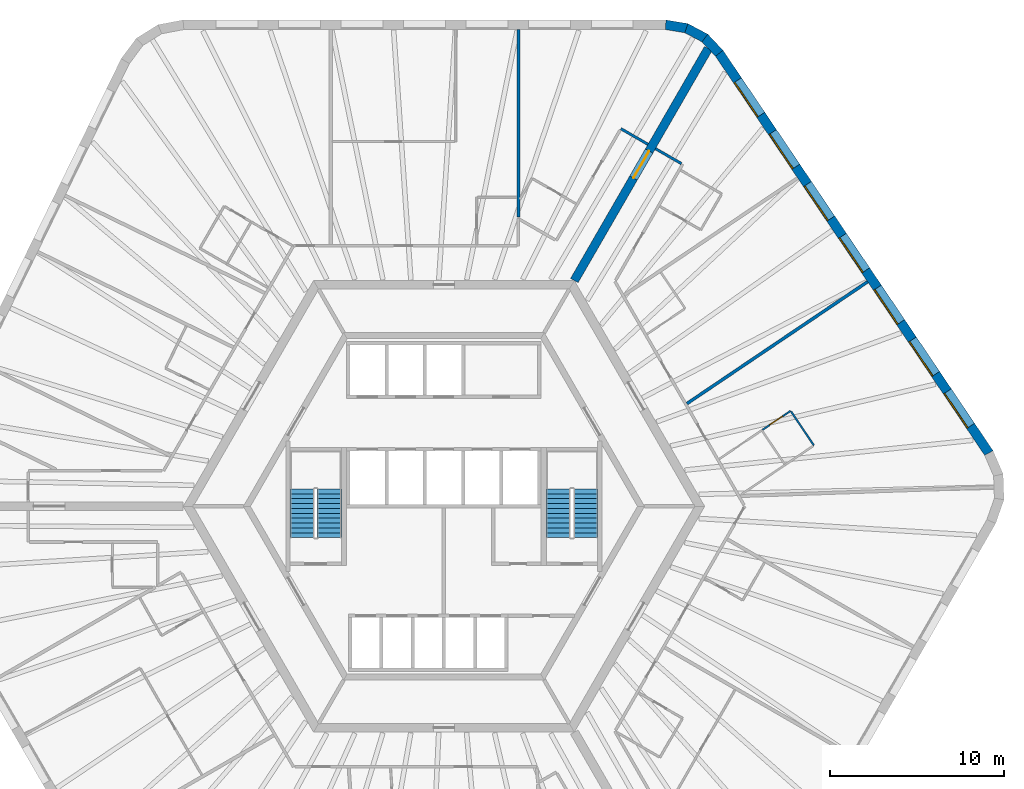
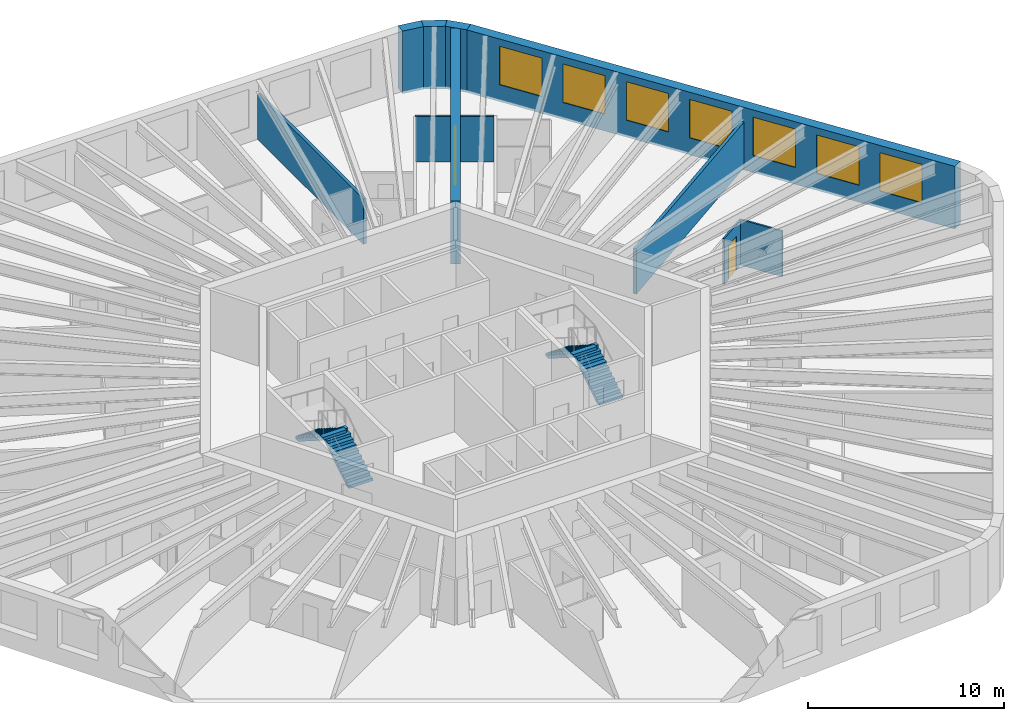
# One storey, part 9 of 10: 11 walls, 7 windows, 4 stair flights, 2 doors, 9 openings, 2 elements without a shape of their own.
"""IFC4 building model written with IfcOpenShell, lengths in metres."""

from ifc_helpers import new_model, si_unit, direction, frame, frame_2d, origin, place, context, subcontext, project, spatial, polyline, rectangle, outline, extrude, material, layer, layer_set, type_object, element, fill, aggregate, save


model = new_model("IFC4")

# Units and contexts
model_context = context("Model", 3, precision=1e-05, world=origin(), true_north=direction((0.0, 1.0)))
body_context = subcontext(model_context, "Body", "Model", "MODEL_VIEW")
ifc_project = project(units=[si_unit("LENGTHUNIT", "METRE"), si_unit("AREAUNIT", "SQUARE_METRE"), si_unit("VOLUMEUNIT", "CUBIC_METRE"), si_unit("PLANEANGLEUNIT", "RADIAN"), si_unit("MASSUNIT", "GRAM", prefix="KILO")], contexts=[model_context])

# Site, building, storey
site_placement = place(None, origin())
site = spatial("IfcSite", under=ifc_project, at=site_placement, CompositionType="ELEMENT")
building_placement = place(site_placement, origin())
building = spatial("IfcBuilding", under=site, at=building_placement, Name="Tarnside Tower", CompositionType="ELEMENT")
storey_placement = place(building_placement, frame((0.0, 0.0, 242.39990234375)))
storey = spatial("IfcBuildingStorey", under=building, at=storey_placement, Name="L58", CompositionType="ELEMENT", Elevation=242.39990234375)

# Wall, opening, door
ifc_material_1 = material(Name="Concrete C70/85", Category="concrete")
ifc_layer_1 = layer(ifc_material_1, 0.5)
ifc_layer_set_1 = layer_set([ifc_layer_1], Name="Core wall Z2 500 C70/85")
wall_type_1 = type_object("IfcWallType", Name="Core wall Z2 500 C70/85", PredefinedType="SHEAR", material=ifc_layer_set_1)
wall_1_placement = place(storey_placement, frame((7.505615234375, 13.0, -0.14990234375), z_axis=(0.0, 0.0, 1.0), x_axis=(0.499988271576, 0.866032175087, 0.0)))
wall_1 = element("IfcWall", 1, at=wall_1_placement, inside=storey, type_object=wall_type_1, Name="L58 spine wall 1", PredefinedType="SHEAR", context=body_context, shape_type="SweptSolid", body=[
    extrude(rectangle(XDim=15.423583984375, YDim=0.5, at=frame_2d((7.7119140625, 0.0))), origin(), (0.0, 0.0, 1.0), 3.89990234375),
])
opening_1_placement = place(wall_1_placement, frame((6.811767578125, 0.0, 0.14990234375)))
opening_1 = element("IfcOpeningElement", 2, at=opening_1_placement, cuts=wall_1, Name="Opening CD-SPN", PredefinedType="OPENING", context=body_context, shape_type="SweptSolid", body=[
    extrude(rectangle(XDim=1.800048828125, YDim=2.39990234375, at=frame_2d((0.89990234375, 1.199951171875))), frame((0.0, 0.260009765625, 0.0), z_axis=(0.0, -1.0, 0.0), x_axis=(1.0, 0.0, 0.0)), (0.0, 0.0, 1.0), 0.52001953125),
])
ifc_material_2 = material(Name="Steel fire door", Category="steel")
door_type_1 = type_object("IfcDoorType", Name="Spine passage double door FD60 1800x2400", OperationType="NOTDEFINED", PredefinedType="DOOR", material=ifc_material_2)
door_1_placement = place(opening_1_placement, origin())
door_1 = element("IfcDoor", 3, at=door_1_placement, inside=storey, type_object=door_type_1, Name="L58 spine passage door 1", OperationType="DOUBLE_DOOR_SINGLE_SWING", OverallHeight=2.39990234375, OverallWidth=1.800048828125, PredefinedType="DOOR", context=body_context, shape_type="SweptSolid", body=[
    extrude(rectangle(XDim=1.800048828125, YDim=2.39990234375, at=frame_2d((0.89990234375, 1.199951171875))), frame((0.0, 0.02490234375, 0.0), z_axis=(0.0, -1.0, 0.0), x_axis=(1.0, 0.0, 0.0)), (0.0, 0.0, 1.0), 0.050048828125),
])
fill(opening_1, door_1)

# Walls
ifc_material_3 = material(Name="Gypsum board partition on steel studs", Category="steel")
ifc_layer_2 = layer(ifc_material_3, 0.14990234375)
ifc_layer_set_2 = layer_set([ifc_layer_2], Name="Corridor wall 150 EI 60")
wall_type_2 = type_object("IfcWallType", Name="Corridor wall 150 EI 60", PredefinedType="PARTITIONING", material=ifc_layer_set_2)
wall_2_placement = place(storey_placement, frame((11.744873046875, 20.8427734375, 0.0), z_axis=(0.0, 0.0, 1.0), x_axis=(-0.865989075817, 0.500062916607, 0.0)))
element("IfcWall", 4, at=wall_2_placement, inside=storey, type_object=wall_type_2, Name="Corridor wall 19001", PredefinedType="PARTITIONING", context=body_context, shape_type="SweptSolid", body=[
    extrude(rectangle(XDim=1.800048828125, YDim=0.14990234375, at=frame_2d((0.89990234375, 0.0))), origin(), (0.0, 0.0, 1.0), 2.837890625),
])
wall_3_placement = place(storey_placement, frame((13.671875, 19.73046875, 0.0), z_axis=(0.0, 0.0, 1.0), x_axis=(-0.866074815912, 0.499914405916, 0.0)))
element("IfcWall", 5, at=wall_3_placement, inside=storey, type_object=wall_type_2, Name="Corridor wall 19049", PredefinedType="PARTITIONING", context=body_context, shape_type="SweptSolid", body=[
    extrude(rectangle(XDim=1.724853515625, YDim=0.14990234375, at=frame_2d((0.8623046875, 0.0))), origin(), (0.0, 0.0, 1.0), 2.837890625),
])
ifc_layer_3 = layer(ifc_material_3, 0.179931640625)
ifc_layer_set_3 = layer_set([ifc_layer_3], Name="Demising wall 180 EI 60")
wall_type_3 = type_object("IfcWallType", Name="Demising wall 180 EI 60", PredefinedType="PARTITIONING", material=ifc_layer_set_3)
wall_4_placement = place(storey_placement, frame((4.2822265625, 27.449951171875, 0.0), z_axis=(0.0, 0.0, 1.0), x_axis=(0.0, -1.0, 0.0)))
element("IfcWall", 6, at=wall_4_placement, inside=storey, type_object=wall_type_3, Name="Demising wall 19053", PredefinedType="PARTITIONING", context=body_context, shape_type="SweptSolid", body=[
    extrude(rectangle(XDim=10.800537109375, YDim=0.179931640625, at=frame_2d((5.400390625, 0.0))), origin(), (0.0, 0.0, 1.0), 2.837890625),
])
wall_5_placement = place(storey_placement, frame((24.388671875, 12.9306640625, 0.0), z_axis=(0.0, 0.0, 1.0), x_axis=(-0.829040439793, -0.559188652593, 0.0)))
element("IfcWall", 7, at=wall_5_placement, inside=storey, type_object=wall_type_3, Name="Demising wall 19115", PredefinedType="PARTITIONING", context=body_context, shape_type="SweptSolid", body=[
    extrude(rectangle(XDim=12.542236328125, YDim=0.179931640625, at=frame_2d((6.27099609375, 0.0))), origin(), (0.0, 0.0, 1.0), 2.837890625),
])

# Wall, opening, door
ifc_layer_4 = layer(ifc_material_3, 0.10009765625)
ifc_layer_set_4 = layer_set([ifc_layer_4], Name="Partition 100")
wall_type_4 = type_object("IfcWallType", Name="Partition 100", PredefinedType="PARTITIONING", material=ifc_layer_set_4)
wall_6_placement = place(storey_placement, frame((18.341064453125, 4.406982421875, 0.0), z_axis=(0.0, 0.0, 1.0), x_axis=(0.829014089772, 0.559227716552, 0.0)))
wall_6 = element("IfcWall", 8, at=wall_6_placement, inside=storey, type_object=wall_type_4, Name="Partition wall 19112", PredefinedType="PARTITIONING", context=body_context, shape_type="SweptSolid", body=[
    extrude(rectangle(XDim=1.9501953125, YDim=0.10009765625, at=frame_2d((0.97509765625, 0.0))), origin(), (0.0, 0.0, 1.0), 2.837890625),
])
opening_2_placement = place(wall_6_placement, frame((0.5, 0.0, 0.0)))
opening_2 = element("IfcOpeningElement", 9, at=opening_2_placement, cuts=wall_6, Name="Opening D-I1", PredefinedType="OPENING", context=body_context, shape_type="SweptSolid", body=[
    extrude(rectangle(XDim=0.89990234375, YDim=2.10009765625, at=frame_2d((0.449951171875, 1.050048828125))), frame((0.0, 0.06005859375, 0.0), z_axis=(0.0, -1.0, 0.0), x_axis=(1.0, 0.0, 0.0)), (0.0, 0.0, 1.0), 0.1201171875),
])
ifc_material_4 = material(Name="Timber door leaf", Category="wood")
door_type_2 = type_object("IfcDoorType", Name="Internal door 900", OperationType="NOTDEFINED", PredefinedType="DOOR", material=ifc_material_4)
door_2_placement = place(opening_2_placement, origin())
door_2 = element("IfcDoor", 10, at=door_2_placement, inside=storey, type_object=door_type_2, Name="Internal door 19034", OperationType="SINGLE_SWING_RIGHT", OverallHeight=2.10009765625, OverallWidth=0.89990234375, PredefinedType="DOOR", context=body_context, shape_type="SweptSolid", body=[
    extrude(rectangle(XDim=0.89990234375, YDim=2.10009765625, at=frame_2d((0.449951171875, 1.050048828125))), frame((0.0, 0.02490234375, 0.0), z_axis=(0.0, -1.0, 0.0), x_axis=(1.0, 0.0, 0.0)), (0.0, 0.0, 1.0), 0.050048828125),
])
fill(opening_2, door_2)

# Wall
wall_7_placement = place(storey_placement, frame((19.985595703125, 5.4560546875, 0.0), z_axis=(0.0, 0.0, 1.0), x_axis=(0.559223037199, -0.829017246302, 0.0)))
element("IfcWall", 11, at=wall_7_placement, inside=storey, type_object=wall_type_4, Name="Partition wall 19113", PredefinedType="PARTITIONING", context=body_context, shape_type="SweptSolid", body=[
    extrude(rectangle(XDim=2.35009765625, YDim=0.10009765625, at=frame_2d((1.175048828125, 0.0))), origin(), (0.0, 0.0, 1.0), 2.837890625),
])

# Wall, openings, windows
ifc_material_5 = material(Name="Facing brick", Category="masonry")
ifc_layer_5 = layer(ifc_material_5, 0.10205078125)
ifc_material_6 = material(Name="Concrete C60/75 precast", Category="concrete")
ifc_layer_6 = layer(ifc_material_6, 0.347900390625)
ifc_material_7 = material(Name="Mineral wool insulation")
ifc_layer_7 = layer(ifc_material_7, 0.10009765625)
ifc_layer_set_5 = layer_set([ifc_layer_5, ifc_layer_6, ifc_layer_7], Name="Tube wall 550 brick faced")
wall_type_5 = type_object("IfcWallType", Name="Tube wall 550 brick faced", PredefinedType="SOLIDWALL", material=ifc_layer_set_5)
wall_8_placement = place(storey_placement, frame((31.37109375, 3.070556640625, -0.14990234375), z_axis=(0.0, 0.0, 1.0), x_axis=(-0.559189891278, 0.829039604297, 0.0)))
wall_8 = element("IfcWall", 12, at=wall_8_placement, inside=storey, type_object=wall_type_5, Name="Tube wall L58 F6 flush 20", PredefinedType="SOLIDWALL", context=body_context, shape_type="SweptSolid", body=[
    extrude(outline(polyline([(-0.025634765625, -0.27490234375), (27.780517578125, -0.27490234375), (27.735595703125, 0.27490234375), (0.025634765625, 0.27490234375), (-0.025634765625, -0.27490234375)])), origin(), (0.0, 0.0, 1.0), 3.89990234375),
])
opening_3_placement = place(wall_8_placement, frame((1.87890625, 0.0, 1.050048828125)))
opening_3 = element("IfcOpeningElement", 13, at=opening_3_placement, cuts=wall_8, Name="Opening WH", PredefinedType="OPENING", context=body_context, shape_type="SweptSolid", body=[
    extrude(rectangle(XDim=2.39990234375, YDim=2.39990234375, at=frame_2d((1.199951171875, 1.199951171875))), frame((0.0, 0.28515625, 0.0), z_axis=(0.0, -1.0, 0.0), x_axis=(1.0, 0.0, 0.0)), (0.0, 0.0, 1.0), 0.570068359375),
])
opening_4_placement = place(wall_8_placement, frame((5.47900390625, 0.0, 1.050048828125)))
opening_4 = element("IfcOpeningElement", 14, at=opening_4_placement, cuts=wall_8, Name="Opening WH", PredefinedType="OPENING", context=body_context, shape_type="SweptSolid", body=[
    extrude(rectangle(XDim=2.39990234375, YDim=2.39990234375, at=frame_2d((1.199951171875, 1.199951171875))), frame((0.0, 0.28515625, 0.0), z_axis=(0.0, -1.0, 0.0), x_axis=(1.0, 0.0, 0.0)), (0.0, 0.0, 1.0), 0.570068359375),
])
opening_5_placement = place(wall_8_placement, frame((9.078857421875, 0.0, 1.050048828125)))
opening_5 = element("IfcOpeningElement", 15, at=opening_5_placement, cuts=wall_8, Name="Opening WH", PredefinedType="OPENING", context=body_context, shape_type="SweptSolid", body=[
    extrude(rectangle(XDim=2.39990234375, YDim=2.39990234375, at=frame_2d((1.199951171875, 1.199951171875))), frame((0.0, 0.28515625, 0.0), z_axis=(0.0, -1.0, 0.0), x_axis=(1.0, 0.0, 0.0)), (0.0, 0.0, 1.0), 0.570068359375),
])
opening_6_placement = place(wall_8_placement, frame((12.678955078125, 0.0, 1.050048828125)))
opening_6 = element("IfcOpeningElement", 16, at=opening_6_placement, cuts=wall_8, Name="Opening WH", PredefinedType="OPENING", context=body_context, shape_type="SweptSolid", body=[
    extrude(rectangle(XDim=2.39990234375, YDim=2.39990234375, at=frame_2d((1.199951171875, 1.199951171875))), frame((0.0, 0.28515625, 0.0), z_axis=(0.0, -1.0, 0.0), x_axis=(1.0, 0.0, 0.0)), (0.0, 0.0, 1.0), 0.570068359375),
])
opening_7_placement = place(wall_8_placement, frame((16.27880859375, 0.0, 1.050048828125)))
opening_7 = element("IfcOpeningElement", 17, at=opening_7_placement, cuts=wall_8, Name="Opening WH", PredefinedType="OPENING", context=body_context, shape_type="SweptSolid", body=[
    extrude(rectangle(XDim=2.39990234375, YDim=2.39990234375, at=frame_2d((1.199951171875, 1.199951171875))), frame((0.0, 0.28515625, 0.0), z_axis=(0.0, -1.0, 0.0), x_axis=(1.0, 0.0, 0.0)), (0.0, 0.0, 1.0), 0.570068359375),
])
opening_8_placement = place(wall_8_placement, frame((19.87890625, 0.0, 1.050048828125)))
opening_8 = element("IfcOpeningElement", 18, at=opening_8_placement, cuts=wall_8, Name="Opening WH", PredefinedType="OPENING", context=body_context, shape_type="SweptSolid", body=[
    extrude(rectangle(XDim=2.39990234375, YDim=2.39990234375, at=frame_2d((1.199951171875, 1.199951171875))), frame((0.0, 0.28515625, 0.0), z_axis=(0.0, -1.0, 0.0), x_axis=(1.0, 0.0, 0.0)), (0.0, 0.0, 1.0), 0.570068359375),
])
opening_9_placement = place(wall_8_placement, frame((23.47900390625, 0.0, 1.050048828125)))
opening_9 = element("IfcOpeningElement", 19, at=opening_9_placement, cuts=wall_8, Name="Opening WH", PredefinedType="OPENING", context=body_context, shape_type="SweptSolid", body=[
    extrude(rectangle(XDim=2.39990234375, YDim=2.39990234375, at=frame_2d((1.199951171875, 1.199951171875))), frame((0.0, 0.28515625, 0.0), z_axis=(0.0, -1.0, 0.0), x_axis=(1.0, 0.0, 0.0)), (0.0, 0.0, 1.0), 0.570068359375),
])
ifc_material_8 = material(Name="Aluminium-framed double glazing", Category="aluminium")
window_type = type_object("IfcWindowType", Name="Hotel window 2400 x 2400", PartitioningType="DOUBLE_PANEL_VERTICAL", PredefinedType="WINDOW", material=ifc_material_8)
window_1_placement = place(opening_3_placement, frame((0.0, 0.205078125, 0.0)))
window_1 = element("IfcWindow", 20, at=window_1_placement, inside=storey, type_object=window_type, Name="E.WN.L58.F6.00", OverallHeight=2.39990234375, OverallWidth=2.39990234375, PartitioningType="DOUBLE_PANEL_VERTICAL", PredefinedType="WINDOW", context=body_context, shape_type="SweptSolid", body=[
    extrude(rectangle(XDim=2.39990234375, YDim=2.39990234375, at=frame_2d((1.199951171875, 1.199951171875))), frame((0.0, 0.030029296875, 0.0), z_axis=(0.0, -1.0, 0.0), x_axis=(1.0, 0.0, 0.0)), (0.0, 0.0, 1.0), 0.06005859375),
])
fill(opening_3, window_1)
window_2_placement = place(opening_4_placement, frame((0.0, 0.205078125, 0.0)))
window_2 = element("IfcWindow", 21, at=window_2_placement, inside=storey, type_object=window_type, Name="E.WN.L58.F6.01", OverallHeight=2.39990234375, OverallWidth=2.39990234375, PartitioningType="DOUBLE_PANEL_VERTICAL", PredefinedType="WINDOW", context=body_context, shape_type="SweptSolid", body=[
    extrude(rectangle(XDim=2.39990234375, YDim=2.39990234375, at=frame_2d((1.199951171875, 1.199951171875))), frame((0.0, 0.030029296875, 0.0), z_axis=(0.0, -1.0, 0.0), x_axis=(1.0, 0.0, 0.0)), (0.0, 0.0, 1.0), 0.06005859375),
])
fill(opening_4, window_2)
window_3_placement = place(opening_5_placement, frame((0.0, 0.205078125, 0.0)))
window_3 = element("IfcWindow", 22, at=window_3_placement, inside=storey, type_object=window_type, Name="E.WN.L58.F6.02", OverallHeight=2.39990234375, OverallWidth=2.39990234375, PartitioningType="DOUBLE_PANEL_VERTICAL", PredefinedType="WINDOW", context=body_context, shape_type="SweptSolid", body=[
    extrude(rectangle(XDim=2.39990234375, YDim=2.39990234375, at=frame_2d((1.199951171875, 1.199951171875))), frame((0.0, 0.030029296875, 0.0), z_axis=(0.0, -1.0, 0.0), x_axis=(1.0, 0.0, 0.0)), (0.0, 0.0, 1.0), 0.06005859375),
])
fill(opening_5, window_3)
window_4_placement = place(opening_6_placement, frame((0.0, 0.205078125, 0.0)))
window_4 = element("IfcWindow", 23, at=window_4_placement, inside=storey, type_object=window_type, Name="E.WN.L58.F6.03", OverallHeight=2.39990234375, OverallWidth=2.39990234375, PartitioningType="DOUBLE_PANEL_VERTICAL", PredefinedType="WINDOW", context=body_context, shape_type="SweptSolid", body=[
    extrude(rectangle(XDim=2.39990234375, YDim=2.39990234375, at=frame_2d((1.199951171875, 1.199951171875))), frame((0.0, 0.030029296875, 0.0), z_axis=(0.0, -1.0, 0.0), x_axis=(1.0, 0.0, 0.0)), (0.0, 0.0, 1.0), 0.06005859375),
])
fill(opening_6, window_4)
window_5_placement = place(opening_7_placement, frame((0.0, 0.205078125, 0.0)))
window_5 = element("IfcWindow", 24, at=window_5_placement, inside=storey, type_object=window_type, Name="E.WN.L58.F6.04", OverallHeight=2.39990234375, OverallWidth=2.39990234375, PartitioningType="DOUBLE_PANEL_VERTICAL", PredefinedType="WINDOW", context=body_context, shape_type="SweptSolid", body=[
    extrude(rectangle(XDim=2.39990234375, YDim=2.39990234375, at=frame_2d((1.199951171875, 1.199951171875))), frame((0.0, 0.030029296875, 0.0), z_axis=(0.0, -1.0, 0.0), x_axis=(1.0, 0.0, 0.0)), (0.0, 0.0, 1.0), 0.06005859375),
])
fill(opening_7, window_5)
window_6_placement = place(opening_8_placement, frame((0.0, 0.205078125, 0.0)))
window_6 = element("IfcWindow", 25, at=window_6_placement, inside=storey, type_object=window_type, Name="E.WN.L58.F6.05", OverallHeight=2.39990234375, OverallWidth=2.39990234375, PartitioningType="DOUBLE_PANEL_VERTICAL", PredefinedType="WINDOW", context=body_context, shape_type="SweptSolid", body=[
    extrude(rectangle(XDim=2.39990234375, YDim=2.39990234375, at=frame_2d((1.199951171875, 1.199951171875))), frame((0.0, 0.030029296875, 0.0), z_axis=(0.0, -1.0, 0.0), x_axis=(1.0, 0.0, 0.0)), (0.0, 0.0, 1.0), 0.06005859375),
])
fill(opening_8, window_6)
window_7_placement = place(opening_9_placement, frame((0.0, 0.205078125, 0.0)))
window_7 = element("IfcWindow", 26, at=window_7_placement, inside=storey, type_object=window_type, Name="E.WN.L58.F6.06", OverallHeight=2.39990234375, OverallWidth=2.39990234375, PartitioningType="DOUBLE_PANEL_VERTICAL", PredefinedType="WINDOW", context=body_context, shape_type="SweptSolid", body=[
    extrude(rectangle(XDim=2.39990234375, YDim=2.39990234375, at=frame_2d((1.199951171875, 1.199951171875))), frame((0.0, 0.030029296875, 0.0), z_axis=(0.0, -1.0, 0.0), x_axis=(1.0, 0.0, 0.0)), (0.0, 0.0, 1.0), 0.06005859375),
])
fill(opening_9, window_7)

# Walls
wall_9_placement = place(storey_placement, frame((15.84912109375, 26.0830078125, -0.14990234375), z_axis=(0.0, 0.0, 1.0), x_axis=(-0.686196220404, 0.727416488061, 0.0)))
element("IfcWall", 27, at=wall_9_placement, inside=storey, type_object=wall_type_5, Name="Tube wall L58 F6 chord 21", PredefinedType="SOLIDWALL", context=body_context, shape_type="SweptSolid", body=[
    extrude(outline(polyline([(-0.0224609375, -0.27490234375), (1.25341796875, -0.27490234375), (1.1630859375, 0.27490234375), (0.0224609375, 0.27490234375), (-0.0224609375, -0.27490234375)])), origin(), (0.0, 0.0, 1.0), 3.89990234375),
])
wall_10_placement = place(storey_placement, frame((15.02001953125, 26.9619140625, -0.14990234375), z_axis=(0.0, 0.0, 1.0), x_axis=(-0.882950818639, 0.469465495926, 0.0)))
element("IfcWall", 28, at=wall_10_placement, inside=storey, type_object=wall_type_5, Name="Tube wall L58 F6 chord 22", PredefinedType="SOLIDWALL", context=body_context, shape_type="SweptSolid", body=[
    extrude(outline(polyline([(-0.045166015625, -0.27490234375), (1.253173828125, -0.27490234375), (1.162841796875, 0.27490234375), (0.045166015625, 0.27490234375), (-0.045166015625, -0.27490234375)])), origin(), (0.0, 0.0, 1.0), 3.89990234375),
])
wall_11_placement = place(storey_placement, frame((13.953369140625, 27.529052734375, -0.14990234375), z_axis=(0.0, 0.0, 1.0), x_axis=(-0.986751945211, 0.162236243244, 0.0)))
element("IfcWall", 29, at=wall_11_placement, inside=storey, type_object=wall_type_5, Name="Tube wall L58 F6 chord 23", PredefinedType="SOLIDWALL", context=body_context, shape_type="SweptSolid", body=[
    extrude(outline(polyline([(-0.045166015625, -0.27490234375), (1.23095703125, -0.27490234375), (1.18603515625, 0.27490234375), (0.045166015625, 0.27490234375), (-0.045166015625, -0.27490234375)])), origin(), (0.0, 0.0, 1.0), 3.89990234375),
])

# Stair, stair flights
ifc_material_9 = material(Name="Concrete C40/50", Category="concrete")
stair_type = type_object("IfcStairType", Name="Exit stair 1400 clear", PredefinedType="HALF_TURN_STAIR", material=ifc_material_9)
stair_1_placement = place(storey_placement, origin())
stair_1 = element("IfcStair", 30, at=stair_1_placement, inside=storey, type_object=stair_type, Name="L58 Exit stair 1", PredefinedType="HALF_TURN_STAIR")
stair_flight_type = type_object("IfcStairFlightType", Name="Exit stair flight 1400", PredefinedType="STRAIGHT", material=ifc_material_9)
stair_flight_1_placement = place(storey_placement, frame((8.14990234375, -1.800048828125, 0.0), z_axis=(0.0, 0.0, 1.0), x_axis=(0.0, 1.0, 0.0)))
stair_flight_1 = element("IfcStairFlight", 31, at=stair_flight_1_placement, type_object=stair_flight_type, Name="ST1 flight 1", NumberOfRisers=11, NumberOfTreads=10, PredefinedType="STRAIGHT", RiserHeight=0.177272727, TreadLength=0.28, context=body_context, shape_type="SweptSolid", body=[
    extrude(outline(polyline([(0.0, 0.0), (0.0, 0.17724609375), (0.280029296875, 0.17724609375), (0.280029296875, 0.3544921875), (0.56005859375, 0.3544921875), (0.56005859375, 0.53173828125), (0.840087890625, 0.53173828125), (0.840087890625, 0.708984375), (1.1201171875, 0.708984375), (1.1201171875, 0.886474609375), (1.39990234375, 0.886474609375), (1.39990234375, 1.063720703125), (1.679931640625, 1.063720703125), (1.679931640625, 1.240966796875), (1.9599609375, 1.240966796875), (1.9599609375, 1.418212890625), (2.239990234375, 1.418212890625), (2.239990234375, 1.595458984375), (2.52001953125, 1.595458984375), (2.52001953125, 1.772705078125), (2.800048828125, 1.772705078125), (2.800048828125, 1.949951171875), (2.800048828125, 1.59521484375), (0.2802734375, 0.0), (0.0, 0.0)])), frame((0.0, 0.699951171875, 0.0), z_axis=(0.0, -1.0, 0.0), x_axis=(1.0, 0.0, 0.0)), (0.0, 0.0, 1.0), 1.39990234375),
])
stair_flight_2_placement = place(storey_placement, frame((6.60009765625, 1.0, 1.9501953125), z_axis=(0.0, 0.0, 1.0), x_axis=(0.0, -1.0, 0.0)))
stair_flight_2 = element("IfcStairFlight", 32, at=stair_flight_2_placement, type_object=stair_flight_type, Name="ST1 flight 2", NumberOfRisers=11, NumberOfTreads=10, PredefinedType="STRAIGHT", RiserHeight=0.177272727, TreadLength=0.28, context=body_context, shape_type="SweptSolid", body=[
    extrude(outline(polyline([(0.0, 0.0), (0.0, 0.17724609375), (0.280029296875, 0.17724609375), (0.280029296875, 0.3544921875), (0.56005859375, 0.3544921875), (0.56005859375, 0.53173828125), (0.840087890625, 0.53173828125), (0.840087890625, 0.708984375), (1.1201171875, 0.708984375), (1.1201171875, 0.886474609375), (1.39990234375, 0.886474609375), (1.39990234375, 1.063720703125), (1.679931640625, 1.063720703125), (1.679931640625, 1.240966796875), (1.9599609375, 1.240966796875), (1.9599609375, 1.418212890625), (2.239990234375, 1.418212890625), (2.239990234375, 1.595458984375), (2.52001953125, 1.595458984375), (2.52001953125, 1.772705078125), (2.800048828125, 1.772705078125), (2.800048828125, 1.949951171875), (2.800048828125, 1.59521484375), (0.2802734375, 0.0), (0.0, 0.0)])), frame((0.0, 0.699951171875, 0.0), z_axis=(0.0, -1.0, 0.0), x_axis=(1.0, 0.0, 0.0)), (0.0, 0.0, 1.0), 1.39990234375),
])
aggregate(stair_1, [stair_flight_1, stair_flight_2])

stair_2_placement = place(storey_placement, origin())
stair_2 = element("IfcStair", 33, at=stair_2_placement, inside=storey, type_object=stair_type, Name="L58 Exit stair 2", PredefinedType="HALF_TURN_STAIR")
stair_flight_3_placement = place(storey_placement, frame((-6.60009765625, -1.800048828125, 0.0), z_axis=(0.0, 0.0, 1.0), x_axis=(0.0, 1.0, 0.0)))
stair_flight_3 = element("IfcStairFlight", 34, at=stair_flight_3_placement, type_object=stair_flight_type, Name="ST2 flight 1", NumberOfRisers=11, NumberOfTreads=10, PredefinedType="STRAIGHT", RiserHeight=0.177272727, TreadLength=0.28, context=body_context, shape_type="SweptSolid", body=[
    extrude(outline(polyline([(0.0, 0.0), (0.0, 0.17724609375), (0.280029296875, 0.17724609375), (0.280029296875, 0.3544921875), (0.56005859375, 0.3544921875), (0.56005859375, 0.53173828125), (0.840087890625, 0.53173828125), (0.840087890625, 0.708984375), (1.1201171875, 0.708984375), (1.1201171875, 0.886474609375), (1.39990234375, 0.886474609375), (1.39990234375, 1.063720703125), (1.679931640625, 1.063720703125), (1.679931640625, 1.240966796875), (1.9599609375, 1.240966796875), (1.9599609375, 1.418212890625), (2.239990234375, 1.418212890625), (2.239990234375, 1.595458984375), (2.52001953125, 1.595458984375), (2.52001953125, 1.772705078125), (2.800048828125, 1.772705078125), (2.800048828125, 1.949951171875), (2.800048828125, 1.59521484375), (0.2802734375, 0.0), (0.0, 0.0)])), frame((0.0, 0.699951171875, 0.0), z_axis=(0.0, -1.0, 0.0), x_axis=(1.0, 0.0, 0.0)), (0.0, 0.0, 1.0), 1.39990234375),
])
stair_flight_4_placement = place(storey_placement, frame((-8.14990234375, 1.0, 1.9501953125), z_axis=(0.0, 0.0, 1.0), x_axis=(0.0, -1.0, 0.0)))
stair_flight_4 = element("IfcStairFlight", 35, at=stair_flight_4_placement, type_object=stair_flight_type, Name="ST2 flight 2", NumberOfRisers=11, NumberOfTreads=10, PredefinedType="STRAIGHT", RiserHeight=0.177272727, TreadLength=0.28, context=body_context, shape_type="SweptSolid", body=[
    extrude(outline(polyline([(0.0, 0.0), (0.0, 0.17724609375), (0.280029296875, 0.17724609375), (0.280029296875, 0.3544921875), (0.56005859375, 0.3544921875), (0.56005859375, 0.53173828125), (0.840087890625, 0.53173828125), (0.840087890625, 0.708984375), (1.1201171875, 0.708984375), (1.1201171875, 0.886474609375), (1.39990234375, 0.886474609375), (1.39990234375, 1.063720703125), (1.679931640625, 1.063720703125), (1.679931640625, 1.240966796875), (1.9599609375, 1.240966796875), (1.9599609375, 1.418212890625), (2.239990234375, 1.418212890625), (2.239990234375, 1.595458984375), (2.52001953125, 1.595458984375), (2.52001953125, 1.772705078125), (2.800048828125, 1.772705078125), (2.800048828125, 1.949951171875), (2.800048828125, 1.59521484375), (0.2802734375, 0.0), (0.0, 0.0)])), frame((0.0, 0.699951171875, 0.0), z_axis=(0.0, -1.0, 0.0), x_axis=(1.0, 0.0, 0.0)), (0.0, 0.0, 1.0), 1.39990234375),
])
aggregate(stair_2, [stair_flight_3, stair_flight_4])

save(model, "model.ifc")
